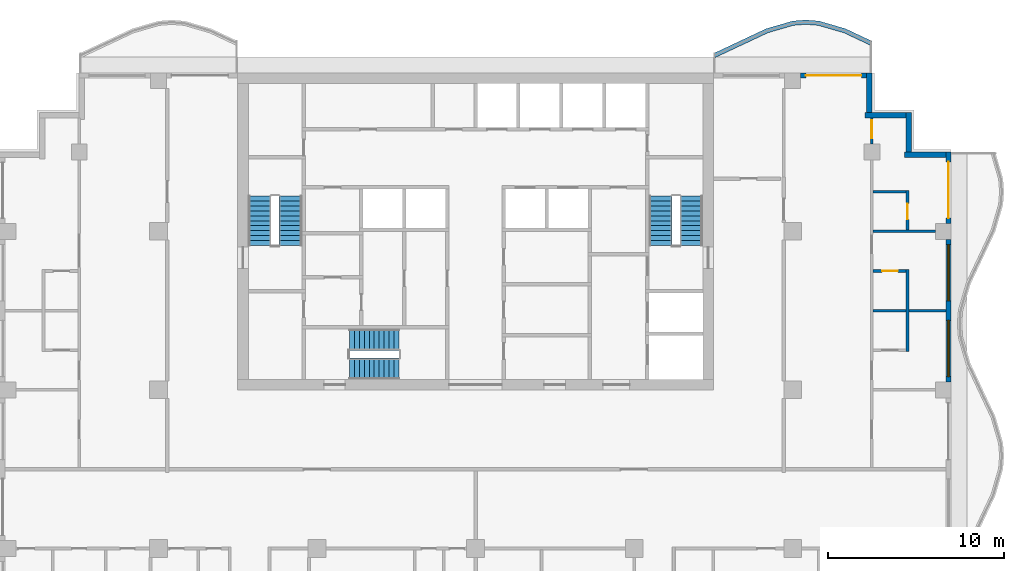
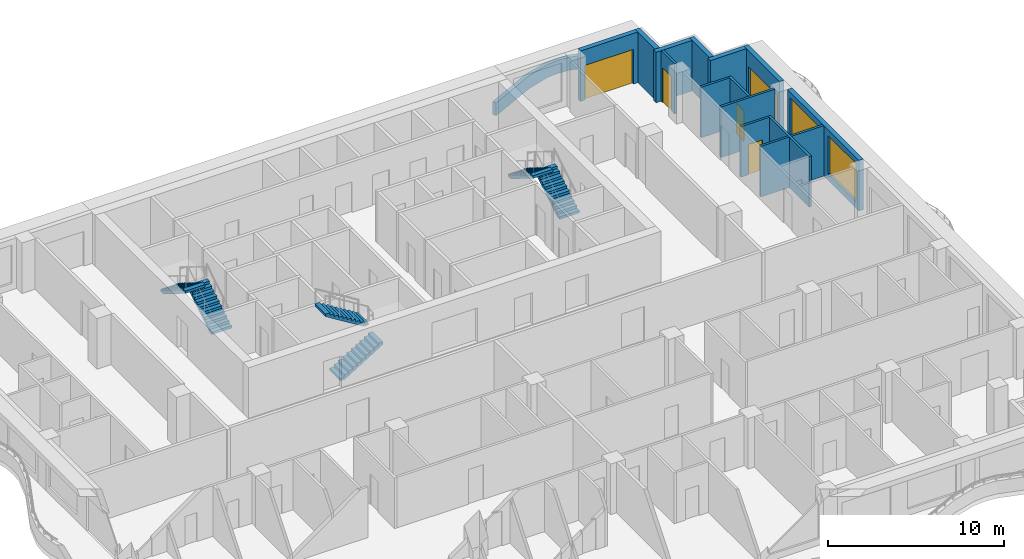
# One storey, part 7 of 11: 16 walls, 6 stair flights, 5 doors, 2 windows, 7 openings, 3 elements without a shape of their own.
"""IFC4 building model written with IfcOpenShell, lengths in metres."""

import ifcopenshell
import ifcopenshell.guid

model = None  # the IFC model being written
_history = None  # IfcOwnerHistory: only IFC2X3 demands one
_inside = {}  # id of a spatial element -> (the spatial element, [elements in it])
_under = {}  # id of a project, library or spatial element -> (it, [spatial elements below it])
_declared = {}  # id of a project -> (the project, [libraries it declares])
_typed = {}  # id of a type object -> (the type object, [elements of that type])
_made_of = {}  # id of a material, layer set ... -> (it, [elements and type objects made of it])


def new_model(schema):
    """Start an empty IFC model of exactly this schema.

    Asked for "IFC4X3", IfcOpenShell would pick the latest addendum, in which some entities
    have other attributes; the version numbers below select the first issue.
    IFC2X3 requires an IfcOwnerHistory on every rooted entity: one is made here for all.
    """
    global model, _history
    if schema == "IFC4X3":
        model = ifcopenshell.file(schema_version=(4, 3, 0, 0))
    else:
        model = ifcopenshell.file(schema=schema)
    _inside.clear()
    _under.clear()
    _declared.clear()
    _typed.clear()
    _made_of.clear()
    _history = None
    if model.schema == "IFC2X3":
        org = make("IfcOrganization", Name="unknown")
        user = make(
            "IfcPersonAndOrganization",
            ThePerson=make("IfcPerson", FamilyName="unknown"),
            TheOrganization=org,
        )
        app = make(
            "IfcApplication",
            ApplicationDeveloper=org,
            Version="unknown",
            ApplicationFullName="unknown",
            ApplicationIdentifier="unknown",
        )
        _history = make(
            "IfcOwnerHistory",
            OwningUser=user,
            OwningApplication=app,
            ChangeAction="ADDED",
            CreationDate=0,
        )
    return model


def make(cls, **values):
    """One entity of the class cls with the attributes given. An attribute that is None is left unset."""
    return model.create_entity(
        cls, **{name: value for name, value in values.items() if value is not None}
    )


def rooted(cls, **values):
    """An entity with a GlobalId (a new one), such as an element, a storey or a relation."""
    return make(cls, GlobalId=ifcopenshell.guid.new(), OwnerHistory=_history, **values)


def si_unit(unit_type, name, prefix=None):
    """IfcSIUnit, for example si_unit("LENGTHUNIT", "METRE", prefix="MILLI")."""
    return make("IfcSIUnit", UnitType=unit_type, Prefix=prefix, Name=name)


def assignment(units):
    """IfcUnitAssignment: the units of a project."""
    return None if units is None else make("IfcUnitAssignment", Units=units)


def point(xyz):
    """IfcCartesianPoint."""
    return None if xyz is None else make("IfcCartesianPoint", Coordinates=xyz)


def direction(xyz):
    """IfcDirection."""
    return None if xyz is None else make("IfcDirection", DirectionRatios=xyz)


def frame(location, z_axis=None, x_axis=None):
    """IfcAxis2Placement3D, a coordinate frame: its origin and axes. An axis left out is left unset."""
    return make(
        "IfcAxis2Placement3D",
        Location=point(location),
        Axis=direction(z_axis),
        RefDirection=direction(x_axis),
    )


def frame_2d(location, x_axis=None):
    """IfcAxis2Placement2D, a coordinate frame in the plane: its origin and x axis."""
    return make(
        "IfcAxis2Placement2D", Location=point(location), RefDirection=direction(x_axis)
    )


def origin():
    """The frame at (0, 0, 0) with its axes left unset."""
    return frame((0.0, 0.0, 0.0))


def place(relative_to, where):
    """IfcLocalPlacement: puts the frame where relative to a parent placement (None: the world)."""
    return make(
        "IfcLocalPlacement", PlacementRelTo=relative_to, RelativePlacement=where
    )


def context(
    kind, dimensions, precision=None, world=None, true_north=None, identifier=None
):
    """IfcGeometricRepresentationContext, for example the 3D "Model" context."""
    return make(
        "IfcGeometricRepresentationContext",
        ContextIdentifier=identifier,
        ContextType=kind,
        CoordinateSpaceDimension=dimensions,
        Precision=precision,
        WorldCoordinateSystem=world,
        TrueNorth=true_north,
    )


def subcontext(parent, identifier, kind, view, scale=None):
    """IfcGeometricRepresentationSubContext, for example "Body" below "Model"."""
    return make(
        "IfcGeometricRepresentationSubContext",
        ContextIdentifier=identifier,
        ContextType=kind,
        ParentContext=parent,
        TargetScale=scale,
        TargetView=view,
    )


def project(units=None, contexts=None):
    """IfcProject with its units and contexts."""
    return rooted(
        "IfcProject",
        Name="project",
        RepresentationContexts=contexts,
        UnitsInContext=assignment(units),
    )


def spatial(cls, under=None, at=None, **own):
    """A site, building, storey or space (cls), placed at a placement, below another one or the project."""
    s = rooted(cls, ObjectPlacement=at, **own)
    if under is not None:
        _under.setdefault(under.id(), (under, []))[1].append(s)
    return s


def polyline(points):
    """IfcPolyline through the points."""
    return make("IfcPolyline", Points=[point(p) for p in points])


def profile(cls, at=None, kind="AREA", **sizes):
    """A parametric profile (cls). Its sizes go by their IFC names, for example OverallWidth=200.0."""
    return make(cls, ProfileType=kind, Position=at, **sizes)


def rectangle(**sizes):
    """IfcRectangleProfileDef."""
    return profile("IfcRectangleProfileDef", **sizes)


def outline(outer, holes=None, kind="AREA"):
    """IfcArbitraryClosedProfileDef: a profile drawn as a closed curve; with holes, ...WithVoids."""
    if holes is None:
        return make("IfcArbitraryClosedProfileDef", ProfileType=kind, OuterCurve=outer)
    return make(
        "IfcArbitraryProfileDefWithVoids",
        ProfileType=kind,
        OuterCurve=outer,
        InnerCurves=holes,
    )


def extrude(swept, where, along, depth):
    """IfcExtrudedAreaSolid: the profile swept, set in the frame where, extruded along a direction by depth."""
    return make(
        "IfcExtrudedAreaSolid",
        SweptArea=swept,
        Position=where,
        ExtrudedDirection=direction(along),
        Depth=depth,
    )


def shape(context_of_items, identifier, shape_type, items):
    """IfcShapeRepresentation: the items that make up one representation, for example the "Body"."""
    return make(
        "IfcShapeRepresentation",
        ContextOfItems=context_of_items,
        RepresentationIdentifier=identifier,
        RepresentationType=shape_type,
        Items=items,
    )


def material(Name=None, Category=None):
    """IfcMaterial."""
    return make("IfcMaterial", Name=Name, Category=Category)


def layer(
    of_material, thickness, ventilated=None, Name=None, Category=None, Priority=None
):
    """IfcMaterialLayer: one layer of a wall or slab, of a material (None: an air gap)."""
    return make(
        "IfcMaterialLayer",
        Material=of_material,
        LayerThickness=thickness,
        IsVentilated=ventilated,
        Name=Name,
        Category=Category,
        Priority=Priority,
    )


def layer_set(layers, Name=None):
    """IfcMaterialLayerSet."""
    return make("IfcMaterialLayerSet", MaterialLayers=layers, LayerSetName=Name)


def made_of(thing, what):
    """Note that an element or type object is made of a material, layer set ...; save() writes the relation."""
    if what is not None:
        _made_of.setdefault(what.id(), (what, []))[1].append(thing)
    return thing


def type_object(cls, material=None, **own):
    """A type object (cls), such as IfcWallType, which elements share."""
    return made_of(rooted(cls, **own), material)


def element(
    cls,
    number,
    at=None,
    inside=None,
    cuts=None,
    type_object=None,
    material=None,
    context=None,
    identifier="Body",
    shape_type=None,
    held_by="IfcProductDefinitionShape",
    body=None,
    shapes=None,
    **own,
):
    """One element of the class cls, such as IfcWall. Its Tag is "e" and its number.

    at: its placement. inside: the storey or other place that contains it. cuts: it is an
    opening in that element (IfcRelVoidsElement). A single representation is given by context,
    identifier, shape_type and body (its items); several are given by shapes. held_by: the class
    of the entity that holds the representations. save() writes the other relations.
    """
    e = rooted(cls, Tag="e%d" % number, ObjectPlacement=at, **own)
    if body is not None:
        shapes = [shape(context, identifier, shape_type, body)]
    if shapes is not None:
        e.Representation = make(held_by, Representations=shapes)
    if inside is not None:
        _inside.setdefault(inside.id(), (inside, []))[1].append(e)
    if cuts is not None:
        rooted(
            "IfcRelVoidsElement", RelatingBuildingElement=cuts, RelatedOpeningElement=e
        )
    if type_object is not None:
        _typed.setdefault(type_object.id(), (type_object, []))[1].append(e)
    return made_of(e, material)


def fill(opening, filler):
    """IfcRelFillsElement: the door or window that sits in an opening."""
    return rooted(
        "IfcRelFillsElement",
        RelatingOpeningElement=opening,
        RelatedBuildingElement=filler,
    )


def aggregate(whole, parts):
    """IfcRelAggregates: a whole, such as a stair, and the parts it consists of."""
    return rooted("IfcRelAggregates", RelatingObject=whole, RelatedObjects=parts)


def save(model, path):
    """Write the relations noted so far, then the file.

    IfcRelAggregates (storeys below a building ...), IfcRelContainedInSpatialStructure (elements
    in a storey), IfcRelDefinesByType, IfcRelAssociatesMaterial and IfcRelDeclares: one each for
    every whole, place, type object, material and project.
    """
    for whole, parts in _under.values():
        aggregate(whole, parts)
    for where, things in _inside.values():
        rooted(
            "IfcRelContainedInSpatialStructure",
            RelatedElements=things,
            RelatingStructure=where,
        )
    for kind, things in _typed.values():
        rooted("IfcRelDefinesByType", RelatedObjects=things, RelatingType=kind)
    for what, things in _made_of.values():
        rooted("IfcRelAssociatesMaterial", RelatedObjects=things, RelatingMaterial=what)
    for by, libraries in _declared.values():
        rooted("IfcRelDeclares", RelatingContext=by, RelatedDefinitions=libraries)
    model.write(path)


model = new_model("IFC4")

# Units and contexts
model_context = context("Model", 3, precision=1e-05, world=origin(), true_north=direction((0.0, 1.0)))
body_context = subcontext(model_context, "Body", "Model", "MODEL_VIEW")
ifc_project = project(units=[si_unit("LENGTHUNIT", "METRE"), si_unit("AREAUNIT", "SQUARE_METRE"), si_unit("VOLUMEUNIT", "CUBIC_METRE"), si_unit("PLANEANGLEUNIT", "RADIAN"), si_unit("MASSUNIT", "GRAM", prefix="KILO")], contexts=[model_context])

# Site, building, storey
site_placement = place(None, origin())
site = spatial("IfcSite", under=ifc_project, at=site_placement, CompositionType="ELEMENT")
building_placement = place(site_placement, origin())
building = spatial("IfcBuilding", under=site, at=building_placement, Name="Orbiselva Terraces", CompositionType="ELEMENT")
storey_placement = place(building_placement, frame((0.0, 0.0, 242.6)))
storey = spatial("IfcBuildingStorey", under=building, at=storey_placement, Name="L61", CompositionType="ELEMENT", Elevation=242.6)

# Wall
ifc_material_1 = material(Name="Concrete C40/50", Category="concrete")
ifc_layer_1 = layer(ifc_material_1, 0.25)
ifc_layer_set_1 = layer_set([ifc_layer_1], Name="Concrete C40/50")
wall_type_1 = type_object("IfcWallType", Name="ENV-PLANTER-250x900", PredefinedType="USERDEFINED", material=ifc_layer_set_1)
wall_1_placement = place(storey_placement, origin())
element("IfcWall", 1, at=wall_1_placement, inside=storey, type_object=wall_type_1, Name="Balcony planter L61 NE", ObjectType="PLANTER", PredefinedType="USERDEFINED", context=body_context, shape_type="SweptSolid", body=[
    extrude(outline(polyline([(22.5, 24.3), (21.0, 25.005342), (19.5, 25.441268), (18.75, 25.5), (18.0, 25.441268), (16.5, 25.005342), (15.0, 24.3), (13.5, 23.594658), (13.606383, 23.368422), (15.106383, 24.073764), (16.588618, 24.770753), (18.045114, 25.194035), (18.75, 25.249235), (19.454886, 25.194035), (20.911382, 24.770753), (22.393617, 24.073764), (22.5, 24.3)])), origin(), (0.0, 0.0, 1.0), 0.9),
])

# Wall, openings, windows
ifc_material_2 = material(Name="Terracotta cladding on masonry backing", Category="masonry")
ifc_layer_2 = layer(ifc_material_2, 0.3)
ifc_layer_set_2 = layer_set([ifc_layer_2], Name="Terracotta cladding on masonry backing")
wall_type_2 = type_object("IfcWallType", Name="ENV-WALL-TERRACOTTA-300", PredefinedType="SOLIDWALL", material=ifc_layer_set_2)
wall_2_placement = place(storey_placement, frame((26.85, 13.05, 0.0), z_axis=(0.0, 0.0, 1.0), x_axis=(0.0, -1.0, 0.0)))
wall_2 = element("IfcWall", 2, at=wall_2_placement, inside=storey, type_object=wall_type_2, Name="Facade wall L61 E", PredefinedType="SOLIDWALL", context=body_context, shape_type="SweptSolid", body=[
    extrude(rectangle(XDim=8.1, YDim=0.3, at=frame_2d((4.05, 0.0))), origin(), (0.0, 0.0, 1.0), 3.5),
])
opening_1_placement = place(wall_2_placement, frame((4.6, 0.0, 0.45)))
opening_1 = element("IfcOpeningElement", 3, at=opening_1_placement, cuts=wall_2, Name="Opening WN17", PredefinedType="OPENING", context=body_context, shape_type="SweptSolid", body=[
    extrude(rectangle(XDim=3.2, YDim=2.65, at=frame_2d((1.6, 1.325))), frame((0.0, 0.16, 0.0), z_axis=(0.0, -1.0, 0.0), x_axis=(1.0, 0.0, 0.0)), (0.0, 0.0, 1.0), 0.32),
])
opening_2_placement = place(wall_2_placement, frame((0.3, 0.0, 0.45)))
opening_2 = element("IfcOpeningElement", 4, at=opening_2_placement, cuts=wall_2, Name="Opening WN17", PredefinedType="OPENING", context=body_context, shape_type="SweptSolid", body=[
    extrude(rectangle(XDim=3.2, YDim=2.65, at=frame_2d((1.6, 1.325))), frame((0.0, 0.16, 0.0), z_axis=(0.0, -1.0, 0.0), x_axis=(1.0, 0.0, 0.0)), (0.0, 0.0, 1.0), 0.32),
])
ifc_material_3 = material(Name="Clear low-e glazing in aluminium frame", Category="aluminium")
window_type = type_object("IfcWindowType", Name="WINDOW 3200 X 2650 S450", PartitioningType="TRIPLE_PANEL_VERTICAL", PredefinedType="WINDOW", material=ifc_material_3)
window_1_placement = place(opening_1_placement, origin())
window_1 = element("IfcWindow", 5, at=window_1_placement, inside=storey, type_object=window_type, Name="Window L61 E", OverallHeight=2.65, OverallWidth=3.2, PartitioningType="SINGLE_PANEL", PredefinedType="WINDOW", context=body_context, shape_type="SweptSolid", body=[
    extrude(rectangle(XDim=3.2, YDim=2.65, at=frame_2d((1.6, 1.325))), frame((0.0, 0.03, 0.0), z_axis=(0.0, -1.0, 0.0), x_axis=(1.0, 0.0, 0.0)), (0.0, 0.0, 1.0), 0.06),
])
fill(opening_1, window_1)
window_2_placement = place(opening_2_placement, origin())
window_2 = element("IfcWindow", 6, at=window_2_placement, inside=storey, type_object=window_type, Name="Window L61 E", OverallHeight=2.65, OverallWidth=3.2, PartitioningType="SINGLE_PANEL", PredefinedType="WINDOW", context=body_context, shape_type="SweptSolid", body=[
    extrude(rectangle(XDim=3.2, YDim=2.65, at=frame_2d((1.6, 1.325))), frame((0.0, 0.03, 0.0), z_axis=(0.0, -1.0, 0.0), x_axis=(1.0, 0.0, 0.0)), (0.0, 0.0, 1.0), 0.06),
])
fill(opening_2, window_2)

# Wall, opening, door
wall_3_placement = place(storey_placement, frame((26.85, 18.0, 0.0), z_axis=(0.0, 0.0, 1.0), x_axis=(0.0, -1.0, 0.0)))
wall_3 = element("IfcWall", 7, at=wall_3_placement, inside=storey, type_object=wall_type_2, Name="Facade wall L61 E", PredefinedType="SOLIDWALL", context=body_context, shape_type="SweptSolid", body=[
    extrude(rectangle(XDim=4.05, YDim=0.3, at=frame_2d((2.025, 0.0))), origin(), (0.0, 0.0, 1.0), 3.5),
])
opening_3_placement = place(wall_3_placement, frame((0.55, 0.0, 0.0)))
opening_3 = element("IfcOpeningElement", 8, at=opening_3_placement, cuts=wall_3, Name="Opening Z5-A-E07", PredefinedType="OPENING", context=body_context, shape_type="SweptSolid", body=[
    extrude(rectangle(XDim=3.2, YDim=2.4, at=frame_2d((1.6, 1.2))), frame((0.0, 0.16, 0.0), z_axis=(0.0, -1.0, 0.0), x_axis=(1.0, 0.0, 0.0)), (0.0, 0.0, 1.0), 0.32),
])
door_type_1 = type_object("IfcDoorType", Name="BALCONY DOOR 3200 X 2400", OperationType="DOUBLE_DOOR_SLIDING", PredefinedType="DOOR", material=ifc_material_3)
door_1_placement = place(opening_3_placement, origin())
door_1 = element("IfcDoor", 9, at=door_1_placement, inside=storey, type_object=door_type_1, Name="Z5-A-E07", OperationType="SINGLE_SWING_LEFT", OverallHeight=2.4, OverallWidth=3.2, PredefinedType="DOOR", context=body_context, shape_type="SweptSolid", body=[
    extrude(rectangle(XDim=3.2, YDim=2.4, at=frame_2d((1.6, 1.2))), frame((0.0, 0.025, 0.0), z_axis=(0.0, -1.0, 0.0), x_axis=(1.0, 0.0, 0.0)), (0.0, 0.0, 1.0), 0.05),
])
fill(opening_3, door_1)

# Walls
wall_4_placement = place(storey_placement, frame((24.35, 17.85, 0.0), z_axis=(0.0, 0.0, 1.0), x_axis=(1.0, 0.0, 0.0)))
element("IfcWall", 10, at=wall_4_placement, inside=storey, type_object=wall_type_2, Name="Facade wall L61 STEP", PredefinedType="SOLIDWALL", context=body_context, shape_type="SweptSolid", body=[
    extrude(rectangle(XDim=2.35, YDim=0.3, at=frame_2d((1.175, 0.0))), origin(), (0.0, 0.0, 1.0), 3.5),
])
wall_5_placement = place(storey_placement, frame((24.6, 20.25, 0.0), z_axis=(0.0, 0.0, 1.0), x_axis=(0.0, -1.0, 0.0)))
element("IfcWall", 11, at=wall_5_placement, inside=storey, type_object=wall_type_2, Name="Facade wall L61 STEP", PredefinedType="SOLIDWALL", context=body_context, shape_type="SweptSolid", body=[
    extrude(rectangle(XDim=2.25, YDim=0.3, at=frame_2d((1.125, 0.0))), origin(), (0.0, 0.0, 1.0), 3.5),
])
wall_6_placement = place(storey_placement, frame((22.1, 20.1, 0.0), z_axis=(0.0, 0.0, 1.0), x_axis=(1.0, 0.0, 0.0)))
element("IfcWall", 12, at=wall_6_placement, inside=storey, type_object=wall_type_2, Name="Facade wall L61 STEP", PredefinedType="SOLIDWALL", context=body_context, shape_type="SweptSolid", body=[
    extrude(rectangle(XDim=2.35, YDim=0.3, at=frame_2d((1.175, 0.0))), origin(), (0.0, 0.0, 1.0), 3.5),
])
wall_7_placement = place(storey_placement, frame((22.35, 22.5, 0.0), z_axis=(0.0, 0.0, 1.0), x_axis=(0.0, -1.0, 0.0)))
element("IfcWall", 13, at=wall_7_placement, inside=storey, type_object=wall_type_2, Name="Facade wall L61 STEP", PredefinedType="SOLIDWALL", context=body_context, shape_type="SweptSolid", body=[
    extrude(rectangle(XDim=2.25, YDim=0.3, at=frame_2d((1.125, 0.0))), origin(), (0.0, 0.0, 1.0), 3.5),
])

# Wall, opening, door
wall_8_placement = place(storey_placement, frame((18.45, 22.35, 0.0), z_axis=(0.0, 0.0, 1.0), x_axis=(1.0, 0.0, 0.0)))
wall_8 = element("IfcWall", 14, at=wall_8_placement, inside=storey, type_object=wall_type_2, Name="Facade wall L61 NE", PredefinedType="SOLIDWALL", context=body_context, shape_type="SweptSolid", body=[
    extrude(rectangle(XDim=3.75, YDim=0.3, at=frame_2d((1.875, 0.0))), origin(), (0.0, 0.0, 1.0), 3.5),
])
opening_4_placement = place(wall_8_placement, frame((0.3, 0.0, 0.0)))
opening_4 = element("IfcOpeningElement", 15, at=opening_4_placement, cuts=wall_8, Name="Opening Z5-A-E15", PredefinedType="OPENING", context=body_context, shape_type="SweptSolid", body=[
    extrude(rectangle(XDim=3.15, YDim=2.4, at=frame_2d((1.575, 1.2))), frame((0.0, 0.16, 0.0), z_axis=(0.0, -1.0, 0.0), x_axis=(1.0, 0.0, 0.0)), (0.0, 0.0, 1.0), 0.32),
])
door_type_2 = type_object("IfcDoorType", Name="BALCONY DOOR 3150 X 2400", OperationType="DOUBLE_DOOR_SLIDING", PredefinedType="DOOR", material=ifc_material_3)
door_2_placement = place(opening_4_placement, origin())
door_2 = element("IfcDoor", 16, at=door_2_placement, inside=storey, type_object=door_type_2, Name="Z5-A-E15", OperationType="SINGLE_SWING_LEFT", OverallHeight=2.4, OverallWidth=3.15, PredefinedType="DOOR", context=body_context, shape_type="SweptSolid", body=[
    extrude(rectangle(XDim=3.15, YDim=2.4, at=frame_2d((1.575, 1.2))), frame((0.0, 0.025, 0.0), z_axis=(0.0, -1.0, 0.0), x_axis=(1.0, 0.0, 0.0)), (0.0, 0.0, 1.0), 0.05),
])
fill(opening_4, door_2)

# Walls
ifc_material_4 = material(Name="Plasterboard on steel stud partition", Category="steel")
ifc_layer_3 = layer(ifc_material_4, 0.15)
ifc_layer_set_3 = layer_set([ifc_layer_3], Name="Plasterboard on steel stud partition")
wall_type_3 = type_object("IfcWallType", Name="UNIT-PARTITION-150", PredefinedType="PARTITIONING", material=ifc_layer_set_3)
wall_9_placement = place(storey_placement, frame((22.575, 9.0, 0.0), z_axis=(0.0, 0.0, 1.0), x_axis=(1.0, 0.0, 0.0)))
element("IfcWall", 17, at=wall_9_placement, inside=storey, type_object=wall_type_3, Name="PARTITION L61-035", PredefinedType="PARTITIONING", context=body_context, shape_type="SweptSolid", body=[
    extrude(rectangle(XDim=1.875, YDim=0.15, at=frame_2d((0.9375, 0.0))), origin(), (0.0, 0.0, 1.0), 3.5),
])
wall_10_placement = place(storey_placement, frame((24.6, 9.0, 0.0), z_axis=(0.0, 0.0, 1.0), x_axis=(1.0, 0.0, 0.0)))
element("IfcWall", 18, at=wall_10_placement, inside=storey, type_object=wall_type_3, Name="PARTITION L61-036", PredefinedType="PARTITIONING", context=body_context, shape_type="SweptSolid", body=[
    extrude(rectangle(XDim=2.1, YDim=0.15, at=frame_2d((1.05, 0.0))), origin(), (0.0, 0.0, 1.0), 3.5),
])

# Wall, opening, door
wall_11_placement = place(storey_placement, frame((24.45, 11.25, 0.0), z_axis=(0.0, 0.0, 1.0), x_axis=(-1.0, 0.0, 0.0)))
wall_11 = element("IfcWall", 19, at=wall_11_placement, inside=storey, type_object=wall_type_3, Name="PARTITION L61-038", PredefinedType="PARTITIONING", context=body_context, shape_type="SweptSolid", body=[
    extrude(rectangle(XDim=1.875, YDim=0.15, at=frame_2d((0.9375, 0.0))), origin(), (0.0, 0.0, 1.0), 3.5),
])
opening_5_placement = place(wall_11_placement, frame((0.475, 0.0, 0.0)))
opening_5 = element("IfcOpeningElement", 20, at=opening_5_placement, cuts=wall_11, Name="Opening Z5-A-13", PredefinedType="OPENING", context=body_context, shape_type="SweptSolid", body=[
    extrude(rectangle(XDim=0.9, YDim=2.1, at=frame_2d((0.45, 1.05))), frame((0.0, 0.085, 0.0), z_axis=(0.0, -1.0, 0.0), x_axis=(1.0, 0.0, 0.0)), (0.0, 0.0, 1.0), 0.17),
])
ifc_material_5 = material(Name="Painted timber door leaf", Category="wood")
door_type_3 = type_object("IfcDoorType", Name="BATH DOOR 900", OperationType="NOTDEFINED", PredefinedType="DOOR", material=ifc_material_5)
door_3_placement = place(opening_5_placement, origin())
door_3 = element("IfcDoor", 21, at=door_3_placement, inside=storey, type_object=door_type_3, Name="Z5-A-13", OperationType="SINGLE_SWING_LEFT", OverallHeight=2.1, OverallWidth=0.9, PredefinedType="DOOR", context=body_context, shape_type="SweptSolid", body=[
    extrude(rectangle(XDim=0.9, YDim=2.1, at=frame_2d((0.45, 1.05))), frame((0.0, 0.025, 0.0), z_axis=(0.0, -1.0, 0.0), x_axis=(1.0, 0.0, 0.0)), (0.0, 0.0, 1.0), 0.05),
])
fill(opening_5, door_3)

# Walls
wall_12_placement = place(storey_placement, frame((22.575, 13.5, 0.0), z_axis=(0.0, 0.0, 1.0), x_axis=(1.0, 0.0, 0.0)))
element("IfcWall", 22, at=wall_12_placement, inside=storey, type_object=wall_type_3, Name="PARTITION L61-039", PredefinedType="PARTITIONING", context=body_context, shape_type="SweptSolid", body=[
    extrude(rectangle(XDim=3.525, YDim=0.15, at=frame_2d((1.7625, 0.0))), origin(), (0.0, 0.0, 1.0), 3.5),
])
wall_13_placement = place(storey_placement, frame((22.575, 15.75, 0.0), z_axis=(0.0, 0.0, 1.0), x_axis=(1.0, 0.0, 0.0)))
element("IfcWall", 23, at=wall_13_placement, inside=storey, type_object=wall_type_3, Name="PARTITION L61-040", PredefinedType="PARTITIONING", context=body_context, shape_type="SweptSolid", body=[
    extrude(rectangle(XDim=1.875, YDim=0.15, at=frame_2d((0.9375, 0.0))), origin(), (0.0, 0.0, 1.0), 3.5),
])

# Wall, opening, door
wall_14_placement = place(storey_placement, frame((22.5, 19.95, 0.0), z_axis=(0.0, 0.0, 1.0), x_axis=(0.0, -1.0, 0.0)))
wall_14 = element("IfcWall", 24, at=wall_14_placement, inside=storey, type_object=wall_type_3, Name="PARTITION L61-087", PredefinedType="PARTITIONING", context=body_context, shape_type="SweptSolid", body=[
    extrude(rectangle(XDim=1.5, YDim=0.15, at=frame_2d((0.75, 0.0))), origin(), (0.0, 0.0, 1.0), 3.5),
])
opening_6_placement = place(wall_14_placement, frame((0.15, 0.0, 0.0)))
opening_6 = element("IfcOpeningElement", 25, at=opening_6_placement, cuts=wall_14, Name="Opening Z5-A-14", PredefinedType="OPENING", context=body_context, shape_type="SweptSolid", body=[
    extrude(rectangle(XDim=1.0, YDim=2.4, at=frame_2d((0.5, 1.2))), frame((0.0, 0.085, 0.0), z_axis=(0.0, -1.0, 0.0), x_axis=(1.0, 0.0, 0.0)), (0.0, 0.0, 1.0), 0.17),
])
door_type_4 = type_object("IfcDoorType", Name="ROOM DOOR 1000", OperationType="NOTDEFINED", PredefinedType="DOOR", material=ifc_material_5)
door_4_placement = place(opening_6_placement, origin())
door_4 = element("IfcDoor", 26, at=door_4_placement, inside=storey, type_object=door_type_4, Name="Z5-A-14", OperationType="SINGLE_SWING_LEFT", OverallHeight=2.4, OverallWidth=1.0, PredefinedType="DOOR", context=body_context, shape_type="SweptSolid", body=[
    extrude(rectangle(XDim=1.0, YDim=2.4, at=frame_2d((0.5, 1.2))), frame((0.0, 0.025, 0.0), z_axis=(0.0, -1.0, 0.0), x_axis=(1.0, 0.0, 0.0)), (0.0, 0.0, 1.0), 0.05),
])
fill(opening_6, door_4)

# Wall
wall_15_placement = place(storey_placement, frame((24.525, 6.675, 0.0), z_axis=(0.0, 0.0, 1.0), x_axis=(0.0, 1.0, 0.0)))
element("IfcWall", 27, at=wall_15_placement, inside=storey, type_object=wall_type_3, Name="PARTITION L61-088", PredefinedType="PARTITIONING", context=body_context, shape_type="SweptSolid", body=[
    extrude(rectangle(XDim=4.65, YDim=0.15, at=frame_2d((2.325, 0.0))), origin(), (0.0, 0.0, 1.0), 3.5),
])

# Wall, opening, door
wall_16_placement = place(storey_placement, frame((24.525, 13.575, 0.0), z_axis=(0.0, 0.0, 1.0), x_axis=(0.0, 1.0, 0.0)))
wall_16 = element("IfcWall", 28, at=wall_16_placement, inside=storey, type_object=wall_type_3, Name="PARTITION L61-089", PredefinedType="PARTITIONING", context=body_context, shape_type="SweptSolid", body=[
    extrude(rectangle(XDim=2.25, YDim=0.15, at=frame_2d((1.125, 0.0))), origin(), (0.0, 0.0, 1.0), 3.5),
])
opening_7_placement = place(wall_16_placement, frame((0.6, 0.0, 0.0)))
opening_7 = element("IfcOpeningElement", 29, at=opening_7_placement, cuts=wall_16, Name="Opening Z5-A-15", PredefinedType="OPENING", context=body_context, shape_type="SweptSolid", body=[
    extrude(rectangle(XDim=0.9, YDim=2.1, at=frame_2d((0.45, 1.05))), frame((0.0, 0.085, 0.0), z_axis=(0.0, -1.0, 0.0), x_axis=(1.0, 0.0, 0.0)), (0.0, 0.0, 1.0), 0.17),
])
door_5_placement = place(opening_7_placement, origin())
door_5 = element("IfcDoor", 30, at=door_5_placement, inside=storey, type_object=door_type_3, Name="Z5-A-15", OperationType="SINGLE_SWING_LEFT", OverallHeight=2.1, OverallWidth=0.9, PredefinedType="DOOR", context=body_context, shape_type="SweptSolid", body=[
    extrude(rectangle(XDim=0.9, YDim=2.1, at=frame_2d((0.45, 1.05))), frame((0.0, 0.025, 0.0), z_axis=(0.0, -1.0, 0.0), x_axis=(1.0, 0.0, 0.0)), (0.0, 0.0, 1.0), 0.05),
])
fill(opening_7, door_5)

# Stair, stair flights
stair_type_1 = type_object("IfcStairType", Name="CORE-STAIR-1200", PredefinedType="HALF_TURN_STAIR", material=ifc_material_1)
stair_1_placement = place(storey_placement, origin())
stair_1 = element("IfcStair", 31, at=stair_1_placement, inside=storey, type_object=stair_type_1, Name="L61 Exit Stair S3", PredefinedType="HALF_TURN_STAIR")
stair_flight_type_1 = type_object("IfcStairFlightType", Name="CORE-STAIR-FLIGHT-1200", PredefinedType="STRAIGHT", material=ifc_material_1)
stair_flight_1_placement = place(storey_placement, frame((-7.15, 5.7, 0.0), z_axis=(0.0, 0.0, 1.0), x_axis=(1.0, 0.0, 0.0)))
stair_flight_1 = element("IfcStairFlight", 32, at=stair_flight_1_placement, type_object=stair_flight_type_1, Name="S3 flight 1", NumberOfRisers=11, NumberOfTreads=10, PredefinedType="STRAIGHT", RiserHeight=0.172727273, TreadLength=0.28, context=body_context, shape_type="SweptSolid", body=[
    extrude(outline(polyline([(0.0, 0.0), (0.0, 0.172727), (0.28, 0.172727), (0.28, 0.345455), (0.56, 0.345455), (0.56, 0.518182), (0.84, 0.518182), (0.84, 0.690909), (1.12, 0.690909), (1.12, 0.863636), (1.4, 0.863636), (1.4, 1.036364), (1.68, 1.036364), (1.68, 1.209091), (1.96, 1.209091), (1.96, 1.381818), (2.24, 1.381818), (2.24, 1.554545), (2.52, 1.554545), (2.52, 1.727273), (2.8, 1.727273), (2.8, 1.9), (2.8, 1.551028), (0.285702, 0.0), (0.0, 0.0)])), frame((0.0, 0.6, 0.0), z_axis=(0.0, -1.0, 0.0), x_axis=(1.0, 0.0, 0.0)), (0.0, 0.0, 1.0), 1.2),
])
stair_flight_2_placement = place(storey_placement, frame((-4.35, 7.35, 1.9), z_axis=(0.0, 0.0, 1.0), x_axis=(-1.0, 0.0, 0.0)))
stair_flight_2 = element("IfcStairFlight", 33, at=stair_flight_2_placement, type_object=stair_flight_type_1, Name="S3 flight 2", NumberOfRisers=11, NumberOfTreads=10, PredefinedType="STRAIGHT", RiserHeight=0.172727273, TreadLength=0.28, context=body_context, shape_type="SweptSolid", body=[
    extrude(outline(polyline([(0.0, 0.0), (0.0, 0.172727), (0.28, 0.172727), (0.28, 0.345455), (0.56, 0.345455), (0.56, 0.518182), (0.84, 0.518182), (0.84, 0.690909), (1.12, 0.690909), (1.12, 0.863636), (1.4, 0.863636), (1.4, 1.036364), (1.68, 1.036364), (1.68, 1.209091), (1.96, 1.209091), (1.96, 1.381818), (2.24, 1.381818), (2.24, 1.554545), (2.52, 1.554545), (2.52, 1.727273), (2.8, 1.727273), (2.8, 1.9), (2.8, 1.551028), (0.285702, 0.0), (0.0, 0.0)])), frame((0.0, 0.6, 0.0), z_axis=(0.0, -1.0, 0.0), x_axis=(1.0, 0.0, 0.0)), (0.0, 0.0, 1.0), 1.2),
])
aggregate(stair_1, [stair_flight_1, stair_flight_2])

stair_type_2 = type_object("IfcStairType", Name="CORE-STAIR-1300", PredefinedType="HALF_TURN_STAIR", material=ifc_material_1)
stair_2_placement = place(storey_placement, origin())
stair_2 = element("IfcStair", 34, at=stair_2_placement, inside=storey, type_object=stair_type_2, Name="L61 Exit Stair S1", PredefinedType="HALF_TURN_STAIR")
stair_flight_type_2 = type_object("IfcStairFlightType", Name="CORE-STAIR-FLIGHT-1300", PredefinedType="STRAIGHT", material=ifc_material_1)
stair_flight_3_placement = place(storey_placement, frame((-10.5, 12.7, 0.0), z_axis=(0.0, 0.0, 1.0), x_axis=(0.0, 1.0, 0.0)))
stair_flight_3 = element("IfcStairFlight", 35, at=stair_flight_3_placement, type_object=stair_flight_type_2, Name="S1 flight 1", NumberOfRisers=11, NumberOfTreads=10, PredefinedType="STRAIGHT", RiserHeight=0.172727273, TreadLength=0.28, context=body_context, shape_type="SweptSolid", body=[
    extrude(outline(polyline([(0.0, 0.0), (0.0, 0.172727), (0.28, 0.172727), (0.28, 0.345455), (0.56, 0.345455), (0.56, 0.518182), (0.84, 0.518182), (0.84, 0.690909), (1.12, 0.690909), (1.12, 0.863636), (1.4, 0.863636), (1.4, 1.036364), (1.68, 1.036364), (1.68, 1.209091), (1.96, 1.209091), (1.96, 1.381818), (2.24, 1.381818), (2.24, 1.554545), (2.52, 1.554545), (2.52, 1.727273), (2.8, 1.727273), (2.8, 1.9), (2.8, 1.551028), (0.285702, 0.0), (0.0, 0.0)])), frame((0.0, 0.65, 0.0), z_axis=(0.0, -1.0, 0.0), x_axis=(1.0, 0.0, 0.0)), (0.0, 0.0, 1.0), 1.3),
])
stair_flight_4_placement = place(storey_placement, frame((-12.25, 15.5, 1.9), z_axis=(0.0, 0.0, 1.0), x_axis=(0.0, -1.0, 0.0)))
stair_flight_4 = element("IfcStairFlight", 36, at=stair_flight_4_placement, type_object=stair_flight_type_2, Name="S1 flight 2", NumberOfRisers=11, NumberOfTreads=10, PredefinedType="STRAIGHT", RiserHeight=0.172727273, TreadLength=0.28, context=body_context, shape_type="SweptSolid", body=[
    extrude(outline(polyline([(0.0, 0.0), (0.0, 0.172727), (0.28, 0.172727), (0.28, 0.345455), (0.56, 0.345455), (0.56, 0.518182), (0.84, 0.518182), (0.84, 0.690909), (1.12, 0.690909), (1.12, 0.863636), (1.4, 0.863636), (1.4, 1.036364), (1.68, 1.036364), (1.68, 1.209091), (1.96, 1.209091), (1.96, 1.381818), (2.24, 1.381818), (2.24, 1.554545), (2.52, 1.554545), (2.52, 1.727273), (2.8, 1.727273), (2.8, 1.9), (2.8, 1.551028), (0.285702, 0.0), (0.0, 0.0)])), frame((0.0, 0.65, 0.0), z_axis=(0.0, -1.0, 0.0), x_axis=(1.0, 0.0, 0.0)), (0.0, 0.0, 1.0), 1.3),
])
aggregate(stair_2, [stair_flight_3, stair_flight_4])

stair_3_placement = place(storey_placement, origin())
stair_3 = element("IfcStair", 37, at=stair_3_placement, inside=storey, type_object=stair_type_2, Name="L61 Exit Stair S2", PredefinedType="HALF_TURN_STAIR")
stair_flight_5_placement = place(storey_placement, frame((12.25, 12.7, 0.0), z_axis=(0.0, 0.0, 1.0), x_axis=(0.0, 1.0, 0.0)))
stair_flight_5 = element("IfcStairFlight", 38, at=stair_flight_5_placement, type_object=stair_flight_type_2, Name="S2 flight 1", NumberOfRisers=11, NumberOfTreads=10, PredefinedType="STRAIGHT", RiserHeight=0.172727273, TreadLength=0.28, context=body_context, shape_type="SweptSolid", body=[
    extrude(outline(polyline([(0.0, 0.0), (0.0, 0.172727), (0.28, 0.172727), (0.28, 0.345455), (0.56, 0.345455), (0.56, 0.518182), (0.84, 0.518182), (0.84, 0.690909), (1.12, 0.690909), (1.12, 0.863636), (1.4, 0.863636), (1.4, 1.036364), (1.68, 1.036364), (1.68, 1.209091), (1.96, 1.209091), (1.96, 1.381818), (2.24, 1.381818), (2.24, 1.554545), (2.52, 1.554545), (2.52, 1.727273), (2.8, 1.727273), (2.8, 1.9), (2.8, 1.551028), (0.285702, 0.0), (0.0, 0.0)])), frame((0.0, 0.65, 0.0), z_axis=(0.0, -1.0, 0.0), x_axis=(1.0, 0.0, 0.0)), (0.0, 0.0, 1.0), 1.3),
])
stair_flight_6_placement = place(storey_placement, frame((10.5, 15.5, 1.9), z_axis=(0.0, 0.0, 1.0), x_axis=(0.0, -1.0, 0.0)))
stair_flight_6 = element("IfcStairFlight", 39, at=stair_flight_6_placement, type_object=stair_flight_type_2, Name="S2 flight 2", NumberOfRisers=11, NumberOfTreads=10, PredefinedType="STRAIGHT", RiserHeight=0.172727273, TreadLength=0.28, context=body_context, shape_type="SweptSolid", body=[
    extrude(outline(polyline([(0.0, 0.0), (0.0, 0.172727), (0.28, 0.172727), (0.28, 0.345455), (0.56, 0.345455), (0.56, 0.518182), (0.84, 0.518182), (0.84, 0.690909), (1.12, 0.690909), (1.12, 0.863636), (1.4, 0.863636), (1.4, 1.036364), (1.68, 1.036364), (1.68, 1.209091), (1.96, 1.209091), (1.96, 1.381818), (2.24, 1.381818), (2.24, 1.554545), (2.52, 1.554545), (2.52, 1.727273), (2.8, 1.727273), (2.8, 1.9), (2.8, 1.551028), (0.285702, 0.0), (0.0, 0.0)])), frame((0.0, 0.65, 0.0), z_axis=(0.0, -1.0, 0.0), x_axis=(1.0, 0.0, 0.0)), (0.0, 0.0, 1.0), 1.3),
])
aggregate(stair_3, [stair_flight_5, stair_flight_6])

save(model, "model.ifc")
